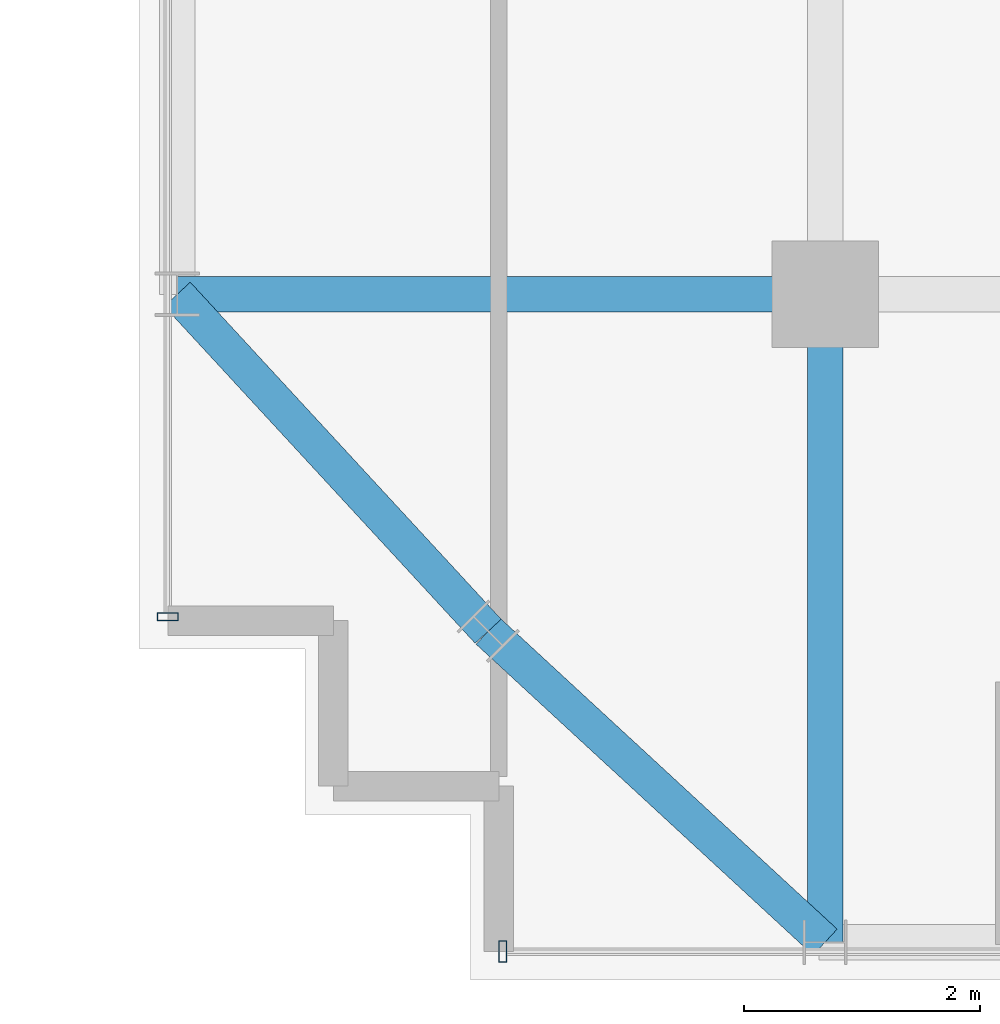
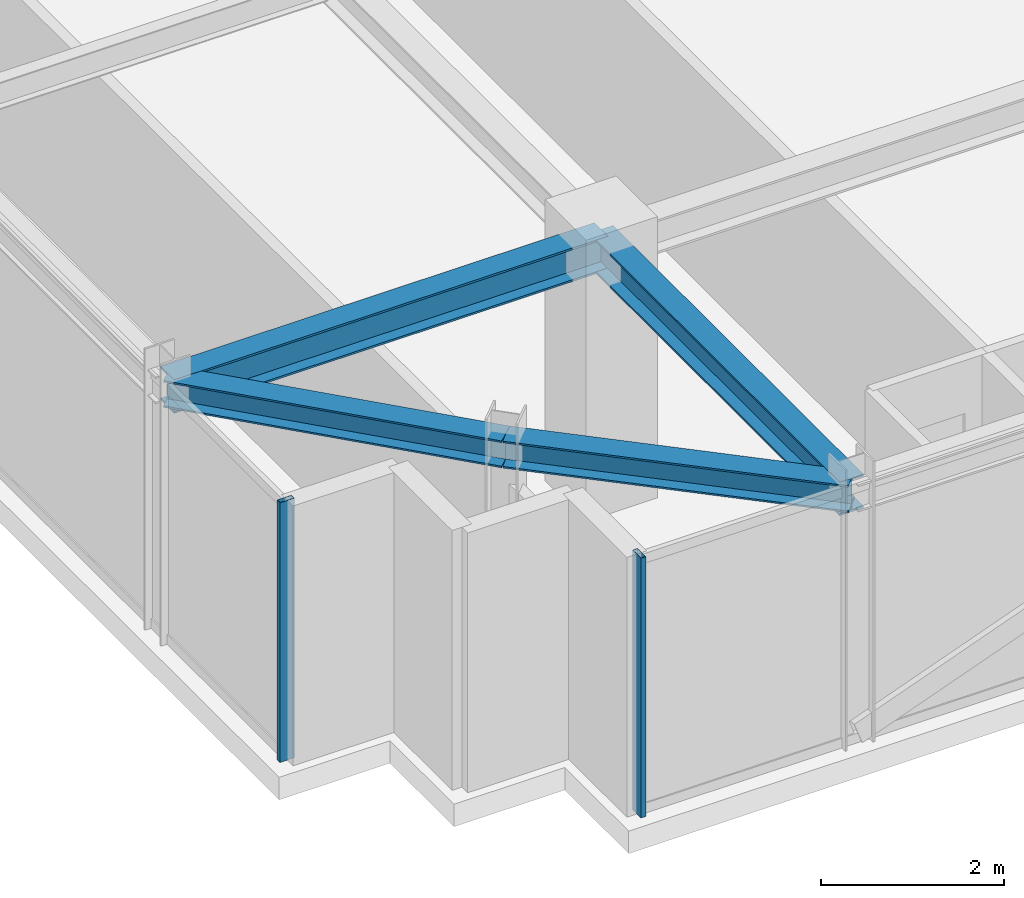
# One storey, part 4 of 34: 4 beams, 2 members, 2 elements without a shape of their own.
"""IFC4 building model written with IfcOpenShell, lengths in metres."""

from ifc_helpers import new_model, si_unit, direction, frame, origin, origin_2d, place, context, subcontext, project, spatial, hollow_rectangle, i_section, extrude, source, transform, mapped, material, material_profile, profile_set, type_object, element, aggregate, save


model = new_model("IFC4")

# Units and contexts
model_context = context("Model", 3, precision=1e-05, world=origin(), true_north=direction((0.0, 1.0)))
body_context = subcontext(model_context, "Body", "Model", "MODEL_VIEW")
ifc_project = project(units=[si_unit("LENGTHUNIT", "METRE"), si_unit("AREAUNIT", "SQUARE_METRE"), si_unit("VOLUMEUNIT", "CUBIC_METRE"), si_unit("PLANEANGLEUNIT", "RADIAN"), si_unit("MASSUNIT", "GRAM", prefix="KILO")], contexts=[model_context])

# Site, building, storey
site_placement = place(None, origin())
site = spatial("IfcSite", under=ifc_project, at=site_placement, CompositionType="ELEMENT")
building_placement = place(site_placement, origin())
building = spatial("IfcBuilding", under=site, at=building_placement, Name="Nahalor Promenade Grand Hotel", CompositionType="ELEMENT")
storey_placement = place(building_placement, frame((0.0, 0.0, 334.75)))
storey = spatial("IfcBuildingStorey", under=building, at=storey_placement, Name="L86", CompositionType="ELEMENT", Elevation=334.75)

# Beams
ifc_material_1 = material(Name="Steel S355JR", Category="steel")
ifc_material_profile_1 = material_profile(ifc_material_1, i_section(OverallWidth=0.3, OverallDepth=0.45, WebThickness=0.014, FlangeThickness=0.026, at=origin_2d()), Name="HEB 450")
ifc_profile_set_1 = profile_set([ifc_material_profile_1], Name="Steel S355JR")
beam_type_1 = type_object("IfcBeamType", Name="Beam-Girder-HEB450", PredefinedType="BEAM", material=ifc_profile_set_1)
shared_shape_1 = source(origin(), body_context, "Body", "SweptSolid", [
    extrude(i_section(OverallWidth=0.3, OverallDepth=0.45, WebThickness=0.014, FlangeThickness=0.026, at=origin_2d()), origin(), (0.0, 0.0, 1.0), 5.47998046875),
])
for number, where, z_axis, x_axis, name in (
    (1, (-22.47998046875, -17.0, 3.2451171875), (1.0, 0.0, 0.0), (0.0, 1.0, 0.0), "BM-L86-GX-0-0"),
    (2, (-17.0, -22.47998046875, 3.2451171875), (0.0, 1.0, 0.0), (-1.0, 0.0, 0.0), "BM-L86-GY-0-0"),
):
    element("IfcBeam", number, at=place(storey_placement, frame(where, z_axis=z_axis, x_axis=x_axis)), inside=storey, type_object=beam_type_1, Name=name, PredefinedType="BEAM", context=body_context, shape_type="MappedRepresentation", body=[
        mapped(shared_shape_1, transform((0.0, 0.0, 0.0), scale=1.0)),
    ])
ifc_material_profile_2 = material_profile(ifc_material_1, i_section(OverallWidth=0.3, OverallDepth=0.36, WebThickness=0.0125, FlangeThickness=0.0225, at=origin_2d()), Name="HEB 360")
ifc_profile_set_2 = profile_set([ifc_material_profile_2], Name="Steel S355JR")
beam_type_2 = type_object("IfcBeamType", Name="Beam-Spandrel-HEB360", PredefinedType="SPANDREL", material=ifc_profile_set_2)
shared_shape_2 = source(origin(), body_context, "Body", "SweptSolid", [
    extrude(i_section(OverallWidth=0.3, OverallDepth=0.36, WebThickness=0.0125, FlangeThickness=0.0225, at=origin_2d()), origin(), (0.0, 0.0, 1.0), 3.878173828125),
])
for number, where, z_axis, x_axis, name in (
    (3, (-17.0, -22.47998046875, 3.2900390625), (-0.73492893846, 0.678144125843, 0.0), (-0.678144125843, -0.73492893846, 0.0), "BM-L86-SPC-SW-1"),
    (4, (-19.85009765625, -19.85009765625, 3.2900390625), (-0.678144125843, 0.73492893846, 0.0), (-0.73492893846, -0.678144125843, 0.0), "BM-L86-SPC-SW-2"),
):
    element("IfcBeam", number, at=place(storey_placement, frame(where, z_axis=z_axis, x_axis=x_axis)), inside=storey, type_object=beam_type_2, Name=name, PredefinedType="SPANDREL", context=body_context, shape_type="MappedRepresentation", body=[
        mapped(shared_shape_2, transform((0.0, 0.0, 0.0), scale=1.0)),
    ])

# Curtain wall, member
ifc_material_2 = material(Name="Anodised Bronze Aluminium EN AW-6063 T6", Category="aluminium")
curtain_wall_type = type_object("IfcCurtainWallType", Name="CW2 Typical Hotel Flush Bronze Unitised Curtain Wall", PredefinedType="USERDEFINED", material=ifc_material_2)
curtain_wall_1_placement = place(storey_placement, origin())
curtain_wall_1 = element("IfcCurtainWall", 5, at=curtain_wall_1_placement, inside=storey, type_object=curtain_wall_type, Name="L86 Curtain Wall CW-L86-S-1", ObjectType="UNITISED_CURTAIN_WALL", PredefinedType="USERDEFINED")
ifc_material_profile_3 = material_profile(ifc_material_2, hollow_rectangle(XDim=0.065, YDim=0.18, WallThickness=0.004, at=origin_2d()), Name="CWM 65x180x4")
ifc_profile_set_3 = profile_set([ifc_material_profile_3], Name="Anodised Bronze Aluminium EN AW-6063 T6")
member_type = type_object("IfcMemberType", Name="CWM2 Typical Bronze Mullion 65x180", PredefinedType="MULLION", material=ifc_profile_set_3)
shared_shape_3 = source(origin(), body_context, "Body", "SweptSolid", [
    extrude(hollow_rectangle(XDim=0.065, YDim=0.18, WallThickness=0.004, at=origin_2d()), origin(), (0.0, 0.0, 1.0), 3.469970703125),
])
member_1_placement = place(storey_placement, frame((-19.7275390625, -22.56005859375, 0.0), z_axis=(0.0, 0.0, 1.0), x_axis=(1.0, 0.0, 0.0)))
member_1 = element("IfcMember", 6, at=member_1_placement, type_object=member_type, Name="CW-L86-S-1 Mullion 0", PredefinedType="MULLION", context=body_context, shape_type="MappedRepresentation", body=[
    mapped(shared_shape_3, transform((0.0, 0.0, 0.0), scale=1.0)),
])
aggregate(curtain_wall_1, [member_1])

curtain_wall_2_placement = place(storey_placement, origin())
curtain_wall_2 = element("IfcCurtainWall", 7, at=curtain_wall_2_placement, inside=storey, type_object=curtain_wall_type, Name="L86 Curtain Wall CW-L86-W-1", ObjectType="UNITISED_CURTAIN_WALL", PredefinedType="USERDEFINED")
member_2_placement = place(storey_placement, frame((-22.56005859375, -19.7275390625, 0.0), z_axis=(0.0, 0.0, 1.0), x_axis=(0.0, 1.0, 0.0)))
member_2 = element("IfcMember", 8, at=member_2_placement, type_object=member_type, Name="CW-L86-W-1 Mullion 0", PredefinedType="MULLION", context=body_context, shape_type="MappedRepresentation", body=[
    mapped(shared_shape_3, transform((0.0, 0.0, 0.0), scale=1.0)),
])
aggregate(curtain_wall_2, [member_2])

save(model, "model.ifc")
